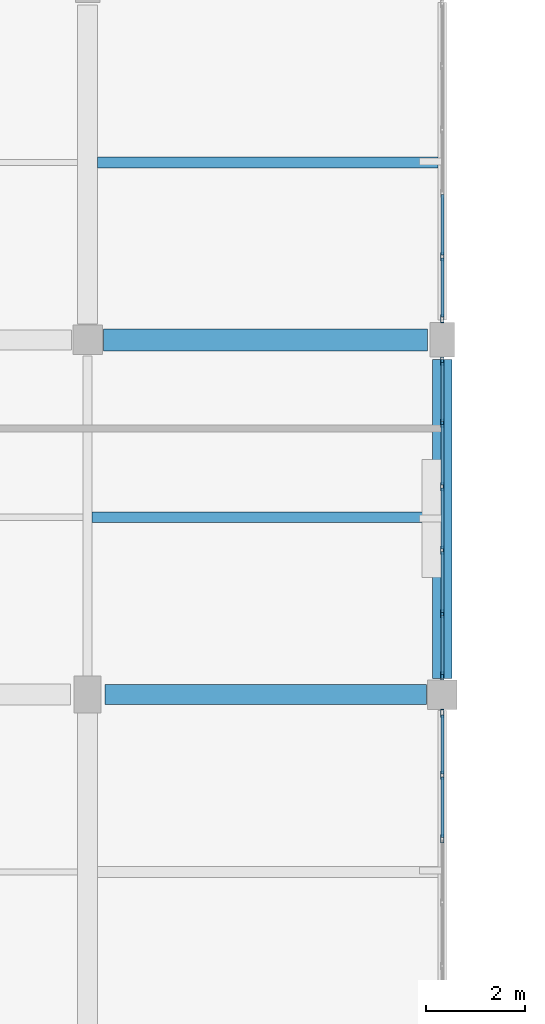
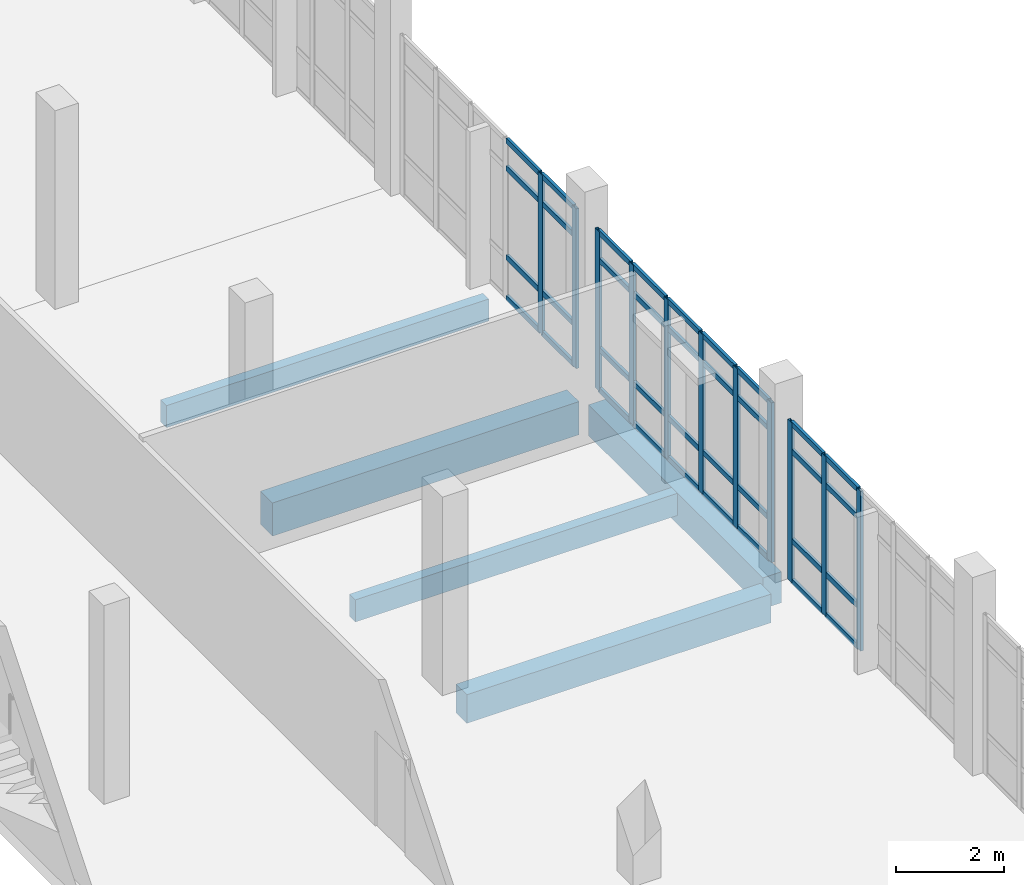
# One storey, part 16 of 87: 47 members, 5 beams, 3 elements without a shape of their own.
"""IFC4 building model written with IfcOpenShell, lengths in metres."""

from ifc_helpers import new_model, si_unit, direction, frame, origin, origin_2d, place, context, subcontext, project, spatial, rectangle, hollow_rectangle, extrude, material, material_profile, profile_set, type_object, element, aggregate, save


model = new_model("IFC4")

# Units and contexts
model_context = context("Model", 3, precision=1e-05, world=origin(), true_north=direction((0.0, 1.0)))
body_context = subcontext(model_context, "Body", "Model", "MODEL_VIEW")
ifc_project = project(units=[si_unit("LENGTHUNIT", "METRE"), si_unit("AREAUNIT", "SQUARE_METRE"), si_unit("VOLUMEUNIT", "CUBIC_METRE"), si_unit("PLANEANGLEUNIT", "RADIAN"), si_unit("MASSUNIT", "GRAM", prefix="KILO")], contexts=[model_context])

# Site, building, storey
site_placement = place(None, origin())
site = spatial("IfcSite", under=ifc_project, at=site_placement, CompositionType="ELEMENT")
building_placement = place(site_placement, origin())
building = spatial("IfcBuilding", under=site, at=building_placement, Name="Kalluvel Institute of Natural Sciences", CompositionType="ELEMENT")
storey_placement = place(building_placement, frame((0.0, 0.0, 18.89990234375)))
storey = spatial("IfcBuildingStorey", under=building, at=storey_placement, Name="L04", CompositionType="ELEMENT", Elevation=18.89990234375)

# Beams
ifc_material_1 = material(Name="Concrete M40", Category="concrete")
ifc_material_profile_1 = material_profile(ifc_material_1, rectangle(XDim=0.39990234375, YDim=0.64990234375, at=origin_2d()), Name="RCB 400x650")
ifc_profile_set_1 = profile_set([ifc_material_profile_1], Name="Concrete M40")
beam_type_1 = type_object("IfcBeamType", Name="BM-RC400x650", PredefinedType="BEAM", material=ifc_profile_set_1)
beam_1_placement = place(storey_placement, frame((28.75, 50.0, -0.625), z_axis=(1.0, 0.0, 0.0), x_axis=(0.0, 1.0, 0.0)))
element("IfcBeam", 1, at=beam_1_placement, inside=storey, type_object=beam_type_1, Name="L04 girder GIR-L04-EW-X284-Y500", PredefinedType="BEAM", context=body_context, shape_type="SweptSolid", body=[
    extrude(rectangle(XDim=0.39990234375, YDim=0.64990234375, at=origin_2d()), origin(), (0.0, 0.0, 1.0), 6.52490234375),
])
ifc_material_profile_2 = material_profile(ifc_material_1, rectangle(XDim=0.39990234375, YDim=0.699951171875, at=origin_2d()), Name="RCB 400x700")
ifc_profile_set_2 = profile_set([ifc_material_profile_2], Name="Concrete M40")
beam_type_2 = type_object("IfcBeamType", Name="BM-RC400x700", PredefinedType="BEAM", material=ifc_profile_set_2)
beam_2_placement = place(storey_placement, frame((35.60009765625, 50.324951171875, -0.64990234375), z_axis=(0.0, 1.0, 0.0), x_axis=(-1.0, 0.0, 0.0)))
element("IfcBeam", 2, at=beam_2_placement, inside=storey, type_object=beam_type_2, Name="L04 girder GIR-L04-NS-X356-Y500", PredefinedType="BEAM", context=body_context, shape_type="SweptSolid", body=[
    extrude(rectangle(XDim=0.39990234375, YDim=0.699951171875, at=origin_2d()), origin(), (0.0, 0.0, 1.0), 6.47509765625),
])
ifc_material_profile_3 = material_profile(ifc_material_1, rectangle(XDim=0.449951171875, YDim=0.75, at=origin_2d()), Name="RCB 450x750")
ifc_profile_set_3 = profile_set([ifc_material_profile_3], Name="Concrete M40")
beam_type_3 = type_object("IfcBeamType", Name="BM-RC450x750", PredefinedType="BEAM", material=ifc_profile_set_3)
beam_3_placement = place(storey_placement, frame((28.72509765625, 57.199951171875, -0.6748046875), z_axis=(1.0, 0.0, 0.0), x_axis=(0.0, 1.0, 0.0)))
element("IfcBeam", 3, at=beam_3_placement, inside=storey, type_object=beam_type_3, Name="L04 girder GIR-L04-EW-X284-Y572", PredefinedType="BEAM", context=body_context, shape_type="SweptSolid", body=[
    extrude(rectangle(XDim=0.449951171875, YDim=0.75, at=origin_2d()), origin(), (0.0, 0.0, 1.0), 6.574951171875),
])

# Curtain wall, members
ifc_material_2 = material(Name="Aluminium AW-6063 T6", Category="aluminium")
curtain_wall_type = type_object("IfcCurtainWallType", Name="CW-DRY-45", PredefinedType="USERDEFINED", material=ifc_material_2)
curtain_wall_1_placement = place(storey_placement, origin())
curtain_wall_1 = element("IfcCurtainWall", 4, at=curtain_wall_1_placement, inside=storey, type_object=curtain_wall_type, Name="L04 Gothic lancet curtain wall CWA-L04-X356-Y432", ObjectType="UNITISED LANCET FACADE", PredefinedType="USERDEFINED")
ifc_material_profile_4 = material_profile(ifc_material_2, hollow_rectangle(XDim=0.06005859375, YDim=0.159912109375, WallThickness=0.00390625, at=origin_2d()), Name="CWM 60x160")
ifc_profile_set_4 = profile_set([ifc_material_profile_4], Name="Aluminium AW-6063 T6")
member_type_1 = type_object("IfcMemberType", Name="CWM-60x160", PredefinedType="MULLION", material=ifc_profile_set_4)
member_1_placement = place(storey_placement, frame((35.60009765625, 47.070068359375, 0.0), z_axis=(0.0, 0.0, 1.0), x_axis=(-1.0, 0.0, 0.0)))
member_1 = element("IfcMember", 5, at=member_1_placement, type_object=member_type_1, Name="CW-03 mullion 4", PredefinedType="MULLION", context=body_context, shape_type="SweptSolid", body=[
    extrude(hollow_rectangle(XDim=0.06005859375, YDim=0.159912109375, WallThickness=0.00390625, at=origin_2d()), origin(), (0.0, 0.0, 1.0), 3.6201171875),
])
member_2_placement = place(storey_placement, frame((35.60009765625, 48.360107421875, 0.0), z_axis=(0.0, 0.0, 1.0), x_axis=(-1.0, 0.0, 0.0)))
member_2 = element("IfcMember", 6, at=member_2_placement, type_object=member_type_1, Name="CW-03 mullion 5", PredefinedType="MULLION", context=body_context, shape_type="SweptSolid", body=[
    extrude(hollow_rectangle(XDim=0.06005859375, YDim=0.159912109375, WallThickness=0.00390625, at=origin_2d()), origin(), (0.0, 0.0, 1.0), 3.6201171875),
])
member_3_placement = place(storey_placement, frame((35.60009765625, 49.6201171875, 0.0), z_axis=(0.0, 0.0, 1.0), x_axis=(-1.0, 0.0, 0.0)))
member_3 = element("IfcMember", 7, at=member_3_placement, type_object=member_type_1, Name="CW-03 mullion 6", PredefinedType="MULLION", context=body_context, shape_type="SweptSolid", body=[
    extrude(hollow_rectangle(XDim=0.06005859375, YDim=0.159912109375, WallThickness=0.00390625, at=origin_2d()), origin(), (0.0, 0.0, 1.0), 3.6201171875),
])

curtain_wall_2_placement = place(storey_placement, origin())
curtain_wall_2 = element("IfcCurtainWall", 8, at=curtain_wall_2_placement, inside=storey, type_object=curtain_wall_type, Name="L04 Gothic lancet curtain wall CWA-L04-X356-Y504", ObjectType="UNITISED LANCET FACADE", PredefinedType="USERDEFINED")
member_4_placement = place(storey_placement, frame((35.60009765625, 50.3798828125, 0.0), z_axis=(0.0, 0.0, 1.0), x_axis=(-1.0, 0.0, 0.0)))
member_4 = element("IfcMember", 9, at=member_4_placement, type_object=member_type_1, Name="CW-03 mullion 1", PredefinedType="MULLION", context=body_context, shape_type="SweptSolid", body=[
    extrude(hollow_rectangle(XDim=0.06005859375, YDim=0.159912109375, WallThickness=0.00390625, at=origin_2d()), origin(), (0.0, 0.0, 1.0), 3.6201171875),
])
member_5_placement = place(storey_placement, frame((35.60009765625, 51.639892578125, 0.0), z_axis=(0.0, 0.0, 1.0), x_axis=(-1.0, 0.0, 0.0)))
member_5 = element("IfcMember", 10, at=member_5_placement, type_object=member_type_1, Name="CW-03 mullion 2", PredefinedType="MULLION", context=body_context, shape_type="SweptSolid", body=[
    extrude(hollow_rectangle(XDim=0.06005859375, YDim=0.159912109375, WallThickness=0.00390625, at=origin_2d()), origin(), (0.0, 0.0, 1.0), 3.6201171875),
])
member_6_placement = place(storey_placement, frame((35.60009765625, 52.929931640625, 0.0), z_axis=(0.0, 0.0, 1.0), x_axis=(-1.0, 0.0, 0.0)))
member_6 = element("IfcMember", 11, at=member_6_placement, type_object=member_type_1, Name="CW-03 mullion 3", PredefinedType="MULLION", context=body_context, shape_type="SweptSolid", body=[
    extrude(hollow_rectangle(XDim=0.06005859375, YDim=0.159912109375, WallThickness=0.00390625, at=origin_2d()), origin(), (0.0, 0.0, 1.0), 3.6201171875),
])
member_7_placement = place(storey_placement, frame((35.60009765625, 54.219970703125, 0.0), z_axis=(0.0, 0.0, 1.0), x_axis=(-1.0, 0.0, 0.0)))
member_7 = element("IfcMember", 12, at=member_7_placement, type_object=member_type_1, Name="CW-03 mullion 4", PredefinedType="MULLION", context=body_context, shape_type="SweptSolid", body=[
    extrude(hollow_rectangle(XDim=0.06005859375, YDim=0.159912109375, WallThickness=0.00390625, at=origin_2d()), origin(), (0.0, 0.0, 1.0), 3.6201171875),
])
member_8_placement = place(storey_placement, frame((35.60009765625, 55.510009765625, 0.0), z_axis=(0.0, 0.0, 1.0), x_axis=(-1.0, 0.0, 0.0)))
member_8 = element("IfcMember", 13, at=member_8_placement, type_object=member_type_1, Name="CW-03 mullion 5", PredefinedType="MULLION", context=body_context, shape_type="SweptSolid", body=[
    extrude(hollow_rectangle(XDim=0.06005859375, YDim=0.159912109375, WallThickness=0.00390625, at=origin_2d()), origin(), (0.0, 0.0, 1.0), 3.6201171875),
])
member_9_placement = place(storey_placement, frame((35.60009765625, 56.77001953125, 0.0), z_axis=(0.0, 0.0, 1.0), x_axis=(-1.0, 0.0, 0.0)))
member_9 = element("IfcMember", 14, at=member_9_placement, type_object=member_type_1, Name="CW-03 mullion 6", PredefinedType="MULLION", context=body_context, shape_type="SweptSolid", body=[
    extrude(hollow_rectangle(XDim=0.06005859375, YDim=0.159912109375, WallThickness=0.00390625, at=origin_2d()), origin(), (0.0, 0.0, 1.0), 3.6201171875),
])

curtain_wall_3_placement = place(storey_placement, origin())
curtain_wall_3 = element("IfcCurtainWall", 15, at=curtain_wall_3_placement, inside=storey, type_object=curtain_wall_type, Name="L04 Gothic lancet curtain wall CWA-L04-X356-Y576", ObjectType="UNITISED LANCET FACADE", PredefinedType="USERDEFINED")
member_10_placement = place(storey_placement, frame((35.60009765625, 57.6298828125, 0.0), z_axis=(0.0, 0.0, 1.0), x_axis=(-1.0, 0.0, 0.0)))
member_10 = element("IfcMember", 16, at=member_10_placement, type_object=member_type_1, Name="CW-03 mullion 1", PredefinedType="MULLION", context=body_context, shape_type="SweptSolid", body=[
    extrude(hollow_rectangle(XDim=0.06005859375, YDim=0.159912109375, WallThickness=0.00390625, at=origin_2d()), origin(), (0.0, 0.0, 1.0), 3.6201171875),
])
member_11_placement = place(storey_placement, frame((35.60009765625, 58.889892578125, 0.0), z_axis=(0.0, 0.0, 1.0), x_axis=(-1.0, 0.0, 0.0)))
member_11 = element("IfcMember", 17, at=member_11_placement, type_object=member_type_1, Name="CW-03 mullion 2", PredefinedType="MULLION", context=body_context, shape_type="SweptSolid", body=[
    extrude(hollow_rectangle(XDim=0.06005859375, YDim=0.159912109375, WallThickness=0.00390625, at=origin_2d()), origin(), (0.0, 0.0, 1.0), 3.6201171875),
])

# Member
ifc_material_profile_5 = material_profile(ifc_material_2, hollow_rectangle(XDim=0.06005859375, YDim=0.1201171875, WallThickness=0.00390625, at=origin_2d()), Name="CWT 60x120")
ifc_profile_set_5 = profile_set([ifc_material_profile_5], Name="Aluminium AW-6063 T6")
member_type_2 = type_object("IfcMemberType", Name="CWT-60x120", PredefinedType="USERDEFINED", material=ifc_profile_set_5)
member_12_placement = place(storey_placement, frame((35.60009765625, 47.10009765625, 0.030029296875), z_axis=(0.0, 1.0, 0.0), x_axis=(-1.0, 0.0, 0.0)))
member_12 = element("IfcMember", 18, at=member_12_placement, type_object=member_type_2, Name="CW-03 transom 4.1", ObjectType="TRANSOM", PredefinedType="USERDEFINED", context=body_context, shape_type="SweptSolid", body=[
    extrude(hollow_rectangle(XDim=0.06005859375, YDim=0.1201171875, WallThickness=0.00390625, at=origin_2d()), origin(), (0.0, 0.0, 1.0), 1.22998046875),
])

member_13_placement = place(storey_placement, frame((35.60009765625, 47.10009765625, 0.9501953125), z_axis=(0.0, 1.0, 0.0), x_axis=(-1.0, 0.0, 0.0)))
member_13 = element("IfcMember", 19, at=member_13_placement, type_object=member_type_2, Name="CW-03 transom 4.2", ObjectType="TRANSOM", PredefinedType="USERDEFINED", context=body_context, shape_type="SweptSolid", body=[
    extrude(hollow_rectangle(XDim=0.06005859375, YDim=0.1201171875, WallThickness=0.00390625, at=origin_2d()), origin(), (0.0, 0.0, 1.0), 1.22998046875),
])

member_14_placement = place(storey_placement, frame((35.60009765625, 47.10009765625, 2.97021484375), z_axis=(0.0, 1.0, 0.0), x_axis=(-1.0, 0.0, 0.0)))
member_14 = element("IfcMember", 20, at=member_14_placement, type_object=member_type_2, Name="CW-03 transom 4.3", ObjectType="TRANSOM", PredefinedType="USERDEFINED", context=body_context, shape_type="SweptSolid", body=[
    extrude(hollow_rectangle(XDim=0.06005859375, YDim=0.1201171875, WallThickness=0.00390625, at=origin_2d()), origin(), (0.0, 0.0, 1.0), 1.22998046875),
])

member_15_placement = place(storey_placement, frame((35.60009765625, 47.10009765625, 3.590087890625), z_axis=(0.0, 1.0, 0.0), x_axis=(-1.0, 0.0, 0.0)))
member_15 = element("IfcMember", 21, at=member_15_placement, type_object=member_type_2, Name="CW-03 transom 4.4", ObjectType="TRANSOM", PredefinedType="USERDEFINED", context=body_context, shape_type="SweptSolid", body=[
    extrude(hollow_rectangle(XDim=0.06005859375, YDim=0.1201171875, WallThickness=0.00390625, at=origin_2d()), origin(), (0.0, 0.0, 1.0), 1.22998046875),
])

member_16_placement = place(storey_placement, frame((35.60009765625, 48.389892578125, 0.030029296875), z_axis=(0.0, 1.0, 0.0), x_axis=(-1.0, 0.0, 0.0)))
member_16 = element("IfcMember", 22, at=member_16_placement, type_object=member_type_2, Name="CW-03 transom 5.1", ObjectType="TRANSOM", PredefinedType="USERDEFINED", context=body_context, shape_type="SweptSolid", body=[
    extrude(hollow_rectangle(XDim=0.06005859375, YDim=0.1201171875, WallThickness=0.00390625, at=origin_2d()), origin(), (0.0, 0.0, 1.0), 1.2001953125),
])

member_17_placement = place(storey_placement, frame((35.60009765625, 48.389892578125, 0.9501953125), z_axis=(0.0, 1.0, 0.0), x_axis=(-1.0, 0.0, 0.0)))
member_17 = element("IfcMember", 23, at=member_17_placement, type_object=member_type_2, Name="CW-03 transom 5.2", ObjectType="TRANSOM", PredefinedType="USERDEFINED", context=body_context, shape_type="SweptSolid", body=[
    extrude(hollow_rectangle(XDim=0.06005859375, YDim=0.1201171875, WallThickness=0.00390625, at=origin_2d()), origin(), (0.0, 0.0, 1.0), 1.2001953125),
])

member_18_placement = place(storey_placement, frame((35.60009765625, 48.389892578125, 2.97021484375), z_axis=(0.0, 1.0, 0.0), x_axis=(-1.0, 0.0, 0.0)))
member_18 = element("IfcMember", 24, at=member_18_placement, type_object=member_type_2, Name="CW-03 transom 5.3", ObjectType="TRANSOM", PredefinedType="USERDEFINED", context=body_context, shape_type="SweptSolid", body=[
    extrude(hollow_rectangle(XDim=0.06005859375, YDim=0.1201171875, WallThickness=0.00390625, at=origin_2d()), origin(), (0.0, 0.0, 1.0), 1.2001953125),
])

member_19_placement = place(storey_placement, frame((35.60009765625, 48.389892578125, 3.590087890625), z_axis=(0.0, 1.0, 0.0), x_axis=(-1.0, 0.0, 0.0)))
member_19 = element("IfcMember", 25, at=member_19_placement, type_object=member_type_2, Name="CW-03 transom 5.4", ObjectType="TRANSOM", PredefinedType="USERDEFINED", context=body_context, shape_type="SweptSolid", body=[
    extrude(hollow_rectangle(XDim=0.06005859375, YDim=0.1201171875, WallThickness=0.00390625, at=origin_2d()), origin(), (0.0, 0.0, 1.0), 1.2001953125),
])

aggregate(curtain_wall_1, [member_1, member_2, member_3, member_12, member_13, member_14, member_15, member_16, member_17, member_18, member_19])

member_20_placement = place(storey_placement, frame((35.60009765625, 50.409912109375, 0.030029296875), z_axis=(0.0, 1.0, 0.0), x_axis=(-1.0, 0.0, 0.0)))
member_20 = element("IfcMember", 26, at=member_20_placement, type_object=member_type_2, Name="CW-03 transom 1.1", ObjectType="TRANSOM", PredefinedType="USERDEFINED", context=body_context, shape_type="SweptSolid", body=[
    extrude(hollow_rectangle(XDim=0.06005859375, YDim=0.1201171875, WallThickness=0.00390625, at=origin_2d()), origin(), (0.0, 0.0, 1.0), 1.2001953125),
])

member_21_placement = place(storey_placement, frame((35.60009765625, 50.409912109375, 0.9501953125), z_axis=(0.0, 1.0, 0.0), x_axis=(-1.0, 0.0, 0.0)))
member_21 = element("IfcMember", 27, at=member_21_placement, type_object=member_type_2, Name="CW-03 transom 1.2", ObjectType="TRANSOM", PredefinedType="USERDEFINED", context=body_context, shape_type="SweptSolid", body=[
    extrude(hollow_rectangle(XDim=0.06005859375, YDim=0.1201171875, WallThickness=0.00390625, at=origin_2d()), origin(), (0.0, 0.0, 1.0), 1.2001953125),
])

member_22_placement = place(storey_placement, frame((35.60009765625, 50.409912109375, 2.97021484375), z_axis=(0.0, 1.0, 0.0), x_axis=(-1.0, 0.0, 0.0)))
member_22 = element("IfcMember", 28, at=member_22_placement, type_object=member_type_2, Name="CW-03 transom 1.3", ObjectType="TRANSOM", PredefinedType="USERDEFINED", context=body_context, shape_type="SweptSolid", body=[
    extrude(hollow_rectangle(XDim=0.06005859375, YDim=0.1201171875, WallThickness=0.00390625, at=origin_2d()), origin(), (0.0, 0.0, 1.0), 1.2001953125),
])

member_23_placement = place(storey_placement, frame((35.60009765625, 50.409912109375, 3.590087890625), z_axis=(0.0, 1.0, 0.0), x_axis=(-1.0, 0.0, 0.0)))
member_23 = element("IfcMember", 29, at=member_23_placement, type_object=member_type_2, Name="CW-03 transom 1.4", ObjectType="TRANSOM", PredefinedType="USERDEFINED", context=body_context, shape_type="SweptSolid", body=[
    extrude(hollow_rectangle(XDim=0.06005859375, YDim=0.1201171875, WallThickness=0.00390625, at=origin_2d()), origin(), (0.0, 0.0, 1.0), 1.2001953125),
])

member_24_placement = place(storey_placement, frame((35.60009765625, 51.669921875, 0.030029296875), z_axis=(0.0, 1.0, 0.0), x_axis=(-1.0, 0.0, 0.0)))
member_24 = element("IfcMember", 30, at=member_24_placement, type_object=member_type_2, Name="CW-03 transom 2.1", ObjectType="TRANSOM", PredefinedType="USERDEFINED", context=body_context, shape_type="SweptSolid", body=[
    extrude(hollow_rectangle(XDim=0.06005859375, YDim=0.1201171875, WallThickness=0.00390625, at=origin_2d()), origin(), (0.0, 0.0, 1.0), 1.22998046875),
])

member_25_placement = place(storey_placement, frame((35.60009765625, 51.669921875, 0.9501953125), z_axis=(0.0, 1.0, 0.0), x_axis=(-1.0, 0.0, 0.0)))
member_25 = element("IfcMember", 31, at=member_25_placement, type_object=member_type_2, Name="CW-03 transom 2.2", ObjectType="TRANSOM", PredefinedType="USERDEFINED", context=body_context, shape_type="SweptSolid", body=[
    extrude(hollow_rectangle(XDim=0.06005859375, YDim=0.1201171875, WallThickness=0.00390625, at=origin_2d()), origin(), (0.0, 0.0, 1.0), 1.22998046875),
])

member_26_placement = place(storey_placement, frame((35.60009765625, 51.669921875, 2.97021484375), z_axis=(0.0, 1.0, 0.0), x_axis=(-1.0, 0.0, 0.0)))
member_26 = element("IfcMember", 32, at=member_26_placement, type_object=member_type_2, Name="CW-03 transom 2.3", ObjectType="TRANSOM", PredefinedType="USERDEFINED", context=body_context, shape_type="SweptSolid", body=[
    extrude(hollow_rectangle(XDim=0.06005859375, YDim=0.1201171875, WallThickness=0.00390625, at=origin_2d()), origin(), (0.0, 0.0, 1.0), 1.22998046875),
])

member_27_placement = place(storey_placement, frame((35.60009765625, 51.669921875, 3.590087890625), z_axis=(0.0, 1.0, 0.0), x_axis=(-1.0, 0.0, 0.0)))
member_27 = element("IfcMember", 33, at=member_27_placement, type_object=member_type_2, Name="CW-03 transom 2.4", ObjectType="TRANSOM", PredefinedType="USERDEFINED", context=body_context, shape_type="SweptSolid", body=[
    extrude(hollow_rectangle(XDim=0.06005859375, YDim=0.1201171875, WallThickness=0.00390625, at=origin_2d()), origin(), (0.0, 0.0, 1.0), 1.22998046875),
])

member_28_placement = place(storey_placement, frame((35.60009765625, 52.9599609375, 0.030029296875), z_axis=(0.0, 1.0, 0.0), x_axis=(-1.0, 0.0, 0.0)))
member_28 = element("IfcMember", 34, at=member_28_placement, type_object=member_type_2, Name="CW-03 transom 3.1", ObjectType="TRANSOM", PredefinedType="USERDEFINED", context=body_context, shape_type="SweptSolid", body=[
    extrude(hollow_rectangle(XDim=0.06005859375, YDim=0.1201171875, WallThickness=0.00390625, at=origin_2d()), origin(), (0.0, 0.0, 1.0), 1.22998046875),
])

member_29_placement = place(storey_placement, frame((35.60009765625, 52.9599609375, 0.9501953125), z_axis=(0.0, 1.0, 0.0), x_axis=(-1.0, 0.0, 0.0)))
member_29 = element("IfcMember", 35, at=member_29_placement, type_object=member_type_2, Name="CW-03 transom 3.2", ObjectType="TRANSOM", PredefinedType="USERDEFINED", context=body_context, shape_type="SweptSolid", body=[
    extrude(hollow_rectangle(XDim=0.06005859375, YDim=0.1201171875, WallThickness=0.00390625, at=origin_2d()), origin(), (0.0, 0.0, 1.0), 1.22998046875),
])

member_30_placement = place(storey_placement, frame((35.60009765625, 52.9599609375, 2.97021484375), z_axis=(0.0, 1.0, 0.0), x_axis=(-1.0, 0.0, 0.0)))
member_30 = element("IfcMember", 36, at=member_30_placement, type_object=member_type_2, Name="CW-03 transom 3.3", ObjectType="TRANSOM", PredefinedType="USERDEFINED", context=body_context, shape_type="SweptSolid", body=[
    extrude(hollow_rectangle(XDim=0.06005859375, YDim=0.1201171875, WallThickness=0.00390625, at=origin_2d()), origin(), (0.0, 0.0, 1.0), 1.22998046875),
])

member_31_placement = place(storey_placement, frame((35.60009765625, 52.9599609375, 3.590087890625), z_axis=(0.0, 1.0, 0.0), x_axis=(-1.0, 0.0, 0.0)))
member_31 = element("IfcMember", 37, at=member_31_placement, type_object=member_type_2, Name="CW-03 transom 3.4", ObjectType="TRANSOM", PredefinedType="USERDEFINED", context=body_context, shape_type="SweptSolid", body=[
    extrude(hollow_rectangle(XDim=0.06005859375, YDim=0.1201171875, WallThickness=0.00390625, at=origin_2d()), origin(), (0.0, 0.0, 1.0), 1.22998046875),
])

member_32_placement = place(storey_placement, frame((35.60009765625, 54.25, 0.030029296875), z_axis=(0.0, 1.0, 0.0), x_axis=(-1.0, 0.0, 0.0)))
member_32 = element("IfcMember", 38, at=member_32_placement, type_object=member_type_2, Name="CW-03 transom 4.1", ObjectType="TRANSOM", PredefinedType="USERDEFINED", context=body_context, shape_type="SweptSolid", body=[
    extrude(hollow_rectangle(XDim=0.06005859375, YDim=0.1201171875, WallThickness=0.00390625, at=origin_2d()), origin(), (0.0, 0.0, 1.0), 1.22998046875),
])

member_33_placement = place(storey_placement, frame((35.60009765625, 54.25, 0.9501953125), z_axis=(0.0, 1.0, 0.0), x_axis=(-1.0, 0.0, 0.0)))
member_33 = element("IfcMember", 39, at=member_33_placement, type_object=member_type_2, Name="CW-03 transom 4.2", ObjectType="TRANSOM", PredefinedType="USERDEFINED", context=body_context, shape_type="SweptSolid", body=[
    extrude(hollow_rectangle(XDim=0.06005859375, YDim=0.1201171875, WallThickness=0.00390625, at=origin_2d()), origin(), (0.0, 0.0, 1.0), 1.22998046875),
])

member_34_placement = place(storey_placement, frame((35.60009765625, 54.25, 2.97021484375), z_axis=(0.0, 1.0, 0.0), x_axis=(-1.0, 0.0, 0.0)))
member_34 = element("IfcMember", 40, at=member_34_placement, type_object=member_type_2, Name="CW-03 transom 4.3", ObjectType="TRANSOM", PredefinedType="USERDEFINED", context=body_context, shape_type="SweptSolid", body=[
    extrude(hollow_rectangle(XDim=0.06005859375, YDim=0.1201171875, WallThickness=0.00390625, at=origin_2d()), origin(), (0.0, 0.0, 1.0), 1.22998046875),
])

member_35_placement = place(storey_placement, frame((35.60009765625, 54.25, 3.590087890625), z_axis=(0.0, 1.0, 0.0), x_axis=(-1.0, 0.0, 0.0)))
member_35 = element("IfcMember", 41, at=member_35_placement, type_object=member_type_2, Name="CW-03 transom 4.4", ObjectType="TRANSOM", PredefinedType="USERDEFINED", context=body_context, shape_type="SweptSolid", body=[
    extrude(hollow_rectangle(XDim=0.06005859375, YDim=0.1201171875, WallThickness=0.00390625, at=origin_2d()), origin(), (0.0, 0.0, 1.0), 1.22998046875),
])

member_36_placement = place(storey_placement, frame((35.60009765625, 55.5400390625, 0.030029296875), z_axis=(0.0, 1.0, 0.0), x_axis=(-1.0, 0.0, 0.0)))
member_36 = element("IfcMember", 42, at=member_36_placement, type_object=member_type_2, Name="CW-03 transom 5.1", ObjectType="TRANSOM", PredefinedType="USERDEFINED", context=body_context, shape_type="SweptSolid", body=[
    extrude(hollow_rectangle(XDim=0.06005859375, YDim=0.1201171875, WallThickness=0.00390625, at=origin_2d()), origin(), (0.0, 0.0, 1.0), 1.199951171875),
])

member_37_placement = place(storey_placement, frame((35.60009765625, 55.5400390625, 0.9501953125), z_axis=(0.0, 1.0, 0.0), x_axis=(-1.0, 0.0, 0.0)))
member_37 = element("IfcMember", 43, at=member_37_placement, type_object=member_type_2, Name="CW-03 transom 5.2", ObjectType="TRANSOM", PredefinedType="USERDEFINED", context=body_context, shape_type="SweptSolid", body=[
    extrude(hollow_rectangle(XDim=0.06005859375, YDim=0.1201171875, WallThickness=0.00390625, at=origin_2d()), origin(), (0.0, 0.0, 1.0), 1.199951171875),
])

member_38_placement = place(storey_placement, frame((35.60009765625, 55.5400390625, 2.97021484375), z_axis=(0.0, 1.0, 0.0), x_axis=(-1.0, 0.0, 0.0)))
member_38 = element("IfcMember", 44, at=member_38_placement, type_object=member_type_2, Name="CW-03 transom 5.3", ObjectType="TRANSOM", PredefinedType="USERDEFINED", context=body_context, shape_type="SweptSolid", body=[
    extrude(hollow_rectangle(XDim=0.06005859375, YDim=0.1201171875, WallThickness=0.00390625, at=origin_2d()), origin(), (0.0, 0.0, 1.0), 1.199951171875),
])

member_39_placement = place(storey_placement, frame((35.60009765625, 55.5400390625, 3.590087890625), z_axis=(0.0, 1.0, 0.0), x_axis=(-1.0, 0.0, 0.0)))
member_39 = element("IfcMember", 45, at=member_39_placement, type_object=member_type_2, Name="CW-03 transom 5.4", ObjectType="TRANSOM", PredefinedType="USERDEFINED", context=body_context, shape_type="SweptSolid", body=[
    extrude(hollow_rectangle(XDim=0.06005859375, YDim=0.1201171875, WallThickness=0.00390625, at=origin_2d()), origin(), (0.0, 0.0, 1.0), 1.199951171875),
])

aggregate(curtain_wall_2, [member_4, member_5, member_6, member_7, member_8, member_9, member_20, member_21, member_22, member_23, member_24, member_25, member_26, member_27, member_28, member_29, member_30, member_31, member_32, member_33, member_34, member_35, member_36, member_37, member_38, member_39])

member_40_placement = place(storey_placement, frame((35.60009765625, 57.659912109375, 0.030029296875), z_axis=(0.0, 1.0, 0.0), x_axis=(-1.0, 0.0, 0.0)))
member_40 = element("IfcMember", 46, at=member_40_placement, type_object=member_type_2, Name="CW-03 transom 1.1", ObjectType="TRANSOM", PredefinedType="USERDEFINED", context=body_context, shape_type="SweptSolid", body=[
    extrude(hollow_rectangle(XDim=0.06005859375, YDim=0.1201171875, WallThickness=0.00390625, at=origin_2d()), origin(), (0.0, 0.0, 1.0), 1.2001953125),
])

member_41_placement = place(storey_placement, frame((35.60009765625, 57.659912109375, 0.9501953125), z_axis=(0.0, 1.0, 0.0), x_axis=(-1.0, 0.0, 0.0)))
member_41 = element("IfcMember", 47, at=member_41_placement, type_object=member_type_2, Name="CW-03 transom 1.2", ObjectType="TRANSOM", PredefinedType="USERDEFINED", context=body_context, shape_type="SweptSolid", body=[
    extrude(hollow_rectangle(XDim=0.06005859375, YDim=0.1201171875, WallThickness=0.00390625, at=origin_2d()), origin(), (0.0, 0.0, 1.0), 1.2001953125),
])

member_42_placement = place(storey_placement, frame((35.60009765625, 57.659912109375, 2.97021484375), z_axis=(0.0, 1.0, 0.0), x_axis=(-1.0, 0.0, 0.0)))
member_42 = element("IfcMember", 48, at=member_42_placement, type_object=member_type_2, Name="CW-03 transom 1.3", ObjectType="TRANSOM", PredefinedType="USERDEFINED", context=body_context, shape_type="SweptSolid", body=[
    extrude(hollow_rectangle(XDim=0.06005859375, YDim=0.1201171875, WallThickness=0.00390625, at=origin_2d()), origin(), (0.0, 0.0, 1.0), 1.2001953125),
])

member_43_placement = place(storey_placement, frame((35.60009765625, 57.659912109375, 3.590087890625), z_axis=(0.0, 1.0, 0.0), x_axis=(-1.0, 0.0, 0.0)))
member_43 = element("IfcMember", 49, at=member_43_placement, type_object=member_type_2, Name="CW-03 transom 1.4", ObjectType="TRANSOM", PredefinedType="USERDEFINED", context=body_context, shape_type="SweptSolid", body=[
    extrude(hollow_rectangle(XDim=0.06005859375, YDim=0.1201171875, WallThickness=0.00390625, at=origin_2d()), origin(), (0.0, 0.0, 1.0), 1.2001953125),
])

member_44_placement = place(storey_placement, frame((35.60009765625, 58.919921875, 0.030029296875), z_axis=(0.0, 1.0, 0.0), x_axis=(-1.0, 0.0, 0.0)))
member_44 = element("IfcMember", 50, at=member_44_placement, type_object=member_type_2, Name="CW-03 transom 2.1", ObjectType="TRANSOM", PredefinedType="USERDEFINED", context=body_context, shape_type="SweptSolid", body=[
    extrude(hollow_rectangle(XDim=0.06005859375, YDim=0.1201171875, WallThickness=0.00390625, at=origin_2d()), origin(), (0.0, 0.0, 1.0), 1.22998046875),
])

member_45_placement = place(storey_placement, frame((35.60009765625, 58.919921875, 0.9501953125), z_axis=(0.0, 1.0, 0.0), x_axis=(-1.0, 0.0, 0.0)))
member_45 = element("IfcMember", 51, at=member_45_placement, type_object=member_type_2, Name="CW-03 transom 2.2", ObjectType="TRANSOM", PredefinedType="USERDEFINED", context=body_context, shape_type="SweptSolid", body=[
    extrude(hollow_rectangle(XDim=0.06005859375, YDim=0.1201171875, WallThickness=0.00390625, at=origin_2d()), origin(), (0.0, 0.0, 1.0), 1.22998046875),
])

member_46_placement = place(storey_placement, frame((35.60009765625, 58.919921875, 2.97021484375), z_axis=(0.0, 1.0, 0.0), x_axis=(-1.0, 0.0, 0.0)))
member_46 = element("IfcMember", 52, at=member_46_placement, type_object=member_type_2, Name="CW-03 transom 2.3", ObjectType="TRANSOM", PredefinedType="USERDEFINED", context=body_context, shape_type="SweptSolid", body=[
    extrude(hollow_rectangle(XDim=0.06005859375, YDim=0.1201171875, WallThickness=0.00390625, at=origin_2d()), origin(), (0.0, 0.0, 1.0), 1.22998046875),
])

member_47_placement = place(storey_placement, frame((35.60009765625, 58.919921875, 3.590087890625), z_axis=(0.0, 1.0, 0.0), x_axis=(-1.0, 0.0, 0.0)))
member_47 = element("IfcMember", 53, at=member_47_placement, type_object=member_type_2, Name="CW-03 transom 2.4", ObjectType="TRANSOM", PredefinedType="USERDEFINED", context=body_context, shape_type="SweptSolid", body=[
    extrude(hollow_rectangle(XDim=0.06005859375, YDim=0.1201171875, WallThickness=0.00390625, at=origin_2d()), origin(), (0.0, 0.0, 1.0), 1.22998046875),
])

aggregate(curtain_wall_3, [member_10, member_11, member_40, member_41, member_42, member_43, member_44, member_45, member_46, member_47])

# Beams
ifc_material_profile_6 = material_profile(ifc_material_1, rectangle(XDim=0.219970703125, YDim=0.5, at=origin_2d()), Name="WAF 220x500")
ifc_profile_set_6 = profile_set([ifc_material_profile_6], Name="Concrete M40")
beam_type_4 = type_object("IfcBeamType", Name="WJ-220x500", PredefinedType="JOIST", material=ifc_profile_set_6)
for number, where, z_axis, x_axis, name in (
    (54, (28.489990234375, 53.60009765625, -0.5498046875), (1.0, 0.0, 0.0), (0.0, 1.0, 0.0), "L04 floor rib RIB-L04-0721"),
    (55, (28.60009765625, 60.800048828125, -0.5498046875), (1.0, 0.0, 0.0), (0.0, 1.0, 0.0), "L04 floor rib RIB-L04-0724"),
):
    element("IfcBeam", number, at=place(storey_placement, frame(where, z_axis=z_axis, x_axis=x_axis)), inside=storey, type_object=beam_type_4, Name=name, PredefinedType="JOIST", context=body_context, shape_type="SweptSolid", body=[
        extrude(rectangle(XDim=0.219970703125, YDim=0.5, at=origin_2d()), origin(), (0.0, 0.0, 1.0), 6.909912109375),
    ])

save(model, "model.ifc")
